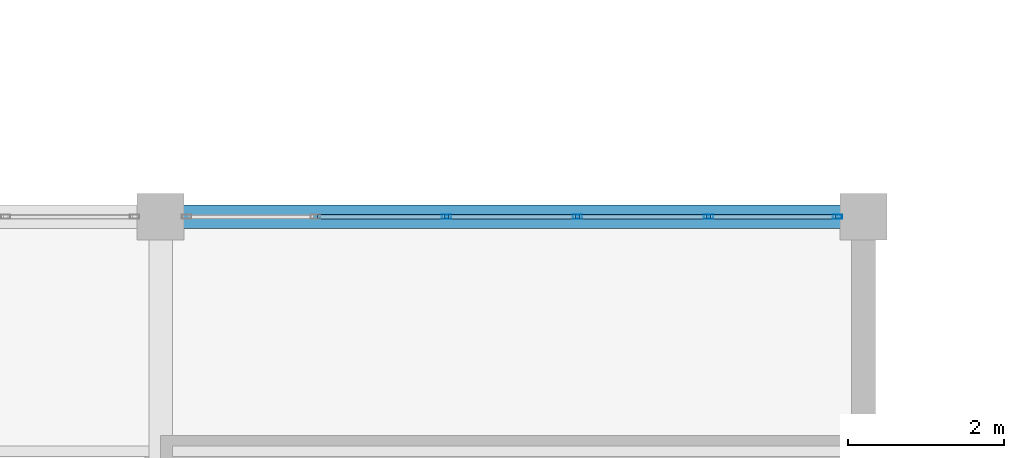
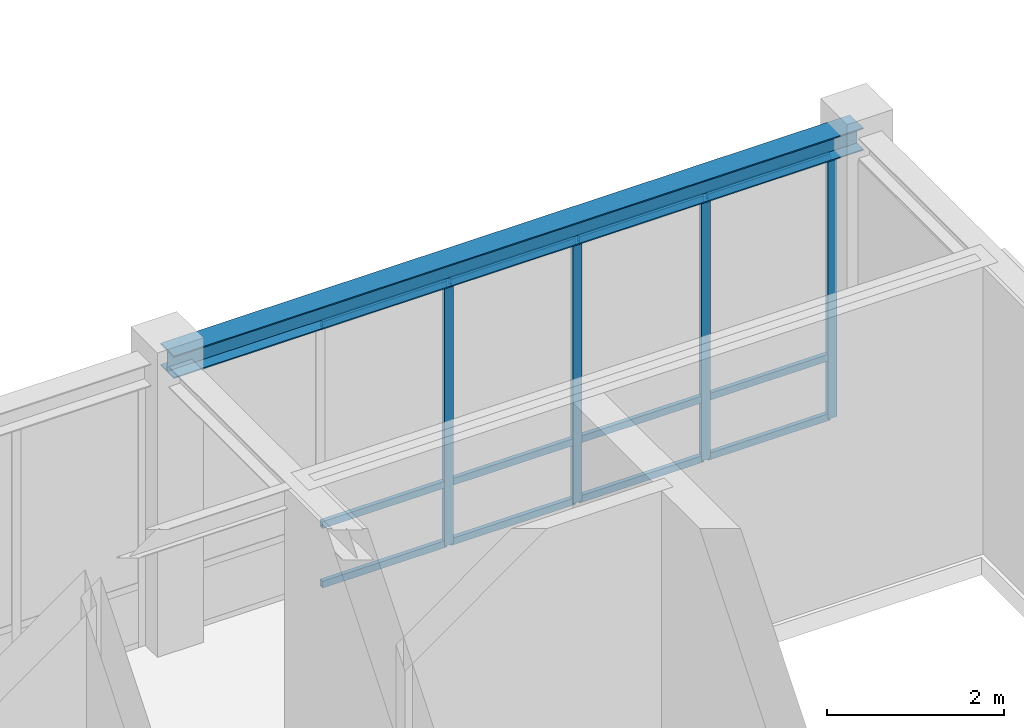
# One storey, part 51 of 130: 16 members, 1 beam, 1 element without a shape of its own.
"""IFC4 building model written with IfcOpenShell, lengths in metres."""

import ifcopenshell
import ifcopenshell.guid

model = None  # the IFC model being written
_history = None  # IfcOwnerHistory: only IFC2X3 demands one
_inside = {}  # id of a spatial element -> (the spatial element, [elements in it])
_under = {}  # id of a project, library or spatial element -> (it, [spatial elements below it])
_declared = {}  # id of a project -> (the project, [libraries it declares])
_typed = {}  # id of a type object -> (the type object, [elements of that type])
_made_of = {}  # id of a material, layer set ... -> (it, [elements and type objects made of it])


def new_model(schema):
    """Start an empty IFC model of exactly this schema.

    Asked for "IFC4X3", IfcOpenShell would pick the latest addendum, in which some entities
    have other attributes; the version numbers below select the first issue.
    IFC2X3 requires an IfcOwnerHistory on every rooted entity: one is made here for all.
    """
    global model, _history
    if schema == "IFC4X3":
        model = ifcopenshell.file(schema_version=(4, 3, 0, 0))
    else:
        model = ifcopenshell.file(schema=schema)
    _inside.clear()
    _under.clear()
    _declared.clear()
    _typed.clear()
    _made_of.clear()
    _history = None
    if model.schema == "IFC2X3":
        org = make("IfcOrganization", Name="unknown")
        user = make(
            "IfcPersonAndOrganization",
            ThePerson=make("IfcPerson", FamilyName="unknown"),
            TheOrganization=org,
        )
        app = make(
            "IfcApplication",
            ApplicationDeveloper=org,
            Version="unknown",
            ApplicationFullName="unknown",
            ApplicationIdentifier="unknown",
        )
        _history = make(
            "IfcOwnerHistory",
            OwningUser=user,
            OwningApplication=app,
            ChangeAction="ADDED",
            CreationDate=0,
        )
    return model


def make(cls, **values):
    """One entity of the class cls with the attributes given. An attribute that is None is left unset."""
    return model.create_entity(
        cls, **{name: value for name, value in values.items() if value is not None}
    )


def rooted(cls, **values):
    """An entity with a GlobalId (a new one), such as an element, a storey or a relation."""
    return make(cls, GlobalId=ifcopenshell.guid.new(), OwnerHistory=_history, **values)


def si_unit(unit_type, name, prefix=None):
    """IfcSIUnit, for example si_unit("LENGTHUNIT", "METRE", prefix="MILLI")."""
    return make("IfcSIUnit", UnitType=unit_type, Prefix=prefix, Name=name)


def assignment(units):
    """IfcUnitAssignment: the units of a project."""
    return None if units is None else make("IfcUnitAssignment", Units=units)


def point(xyz):
    """IfcCartesianPoint."""
    return None if xyz is None else make("IfcCartesianPoint", Coordinates=xyz)


def direction(xyz):
    """IfcDirection."""
    return None if xyz is None else make("IfcDirection", DirectionRatios=xyz)


def frame(location, z_axis=None, x_axis=None):
    """IfcAxis2Placement3D, a coordinate frame: its origin and axes. An axis left out is left unset."""
    return make(
        "IfcAxis2Placement3D",
        Location=point(location),
        Axis=direction(z_axis),
        RefDirection=direction(x_axis),
    )


def frame_2d(location, x_axis=None):
    """IfcAxis2Placement2D, a coordinate frame in the plane: its origin and x axis."""
    return make(
        "IfcAxis2Placement2D", Location=point(location), RefDirection=direction(x_axis)
    )


def origin():
    """The frame at (0, 0, 0) with its axes left unset."""
    return frame((0.0, 0.0, 0.0))


def origin_2d():
    """The frame at (0, 0) in the plane with its x axis left unset."""
    return frame_2d((0.0, 0.0))


def place(relative_to, where):
    """IfcLocalPlacement: puts the frame where relative to a parent placement (None: the world)."""
    return make(
        "IfcLocalPlacement", PlacementRelTo=relative_to, RelativePlacement=where
    )


def context(
    kind, dimensions, precision=None, world=None, true_north=None, identifier=None
):
    """IfcGeometricRepresentationContext, for example the 3D "Model" context."""
    return make(
        "IfcGeometricRepresentationContext",
        ContextIdentifier=identifier,
        ContextType=kind,
        CoordinateSpaceDimension=dimensions,
        Precision=precision,
        WorldCoordinateSystem=world,
        TrueNorth=true_north,
    )


def subcontext(parent, identifier, kind, view, scale=None):
    """IfcGeometricRepresentationSubContext, for example "Body" below "Model"."""
    return make(
        "IfcGeometricRepresentationSubContext",
        ContextIdentifier=identifier,
        ContextType=kind,
        ParentContext=parent,
        TargetScale=scale,
        TargetView=view,
    )


def project(units=None, contexts=None):
    """IfcProject with its units and contexts."""
    return rooted(
        "IfcProject",
        Name="project",
        RepresentationContexts=contexts,
        UnitsInContext=assignment(units),
    )


def spatial(cls, under=None, at=None, **own):
    """A site, building, storey or space (cls), placed at a placement, below another one or the project."""
    s = rooted(cls, ObjectPlacement=at, **own)
    if under is not None:
        _under.setdefault(under.id(), (under, []))[1].append(s)
    return s


def profile(cls, at=None, kind="AREA", **sizes):
    """A parametric profile (cls). Its sizes go by their IFC names, for example OverallWidth=200.0."""
    return make(cls, ProfileType=kind, Position=at, **sizes)


def hollow_rectangle(**sizes):
    """IfcRectangleHollowProfileDef."""
    return profile("IfcRectangleHollowProfileDef", **sizes)


def i_section(**sizes):
    """IfcIShapeProfileDef."""
    return profile("IfcIShapeProfileDef", **sizes)


def extrude(swept, where, along, depth):
    """IfcExtrudedAreaSolid: the profile swept, set in the frame where, extruded along a direction by depth."""
    return make(
        "IfcExtrudedAreaSolid",
        SweptArea=swept,
        Position=where,
        ExtrudedDirection=direction(along),
        Depth=depth,
    )


def shape(context_of_items, identifier, shape_type, items):
    """IfcShapeRepresentation: the items that make up one representation, for example the "Body"."""
    return make(
        "IfcShapeRepresentation",
        ContextOfItems=context_of_items,
        RepresentationIdentifier=identifier,
        RepresentationType=shape_type,
        Items=items,
    )


def material(Name=None, Category=None):
    """IfcMaterial."""
    return make("IfcMaterial", Name=Name, Category=Category)


def material_profile(
    of_material, cross_section, Name=None, Category=None, Priority=None
):
    """IfcMaterialProfile: a cross section and its material."""
    return make(
        "IfcMaterialProfile",
        Name=Name,
        Material=of_material,
        Profile=cross_section,
        Priority=Priority,
        Category=Category,
    )


def profile_set(profiles, Name=None, composite=None):
    """IfcMaterialProfileSet."""
    return make(
        "IfcMaterialProfileSet",
        Name=Name,
        MaterialProfiles=profiles,
        CompositeProfile=composite,
    )


def made_of(thing, what):
    """Note that an element or type object is made of a material, layer set ...; save() writes the relation."""
    if what is not None:
        _made_of.setdefault(what.id(), (what, []))[1].append(thing)
    return thing


def type_object(cls, material=None, **own):
    """A type object (cls), such as IfcWallType, which elements share."""
    return made_of(rooted(cls, **own), material)


def element(
    cls,
    number,
    at=None,
    inside=None,
    cuts=None,
    type_object=None,
    material=None,
    context=None,
    identifier="Body",
    shape_type=None,
    held_by="IfcProductDefinitionShape",
    body=None,
    shapes=None,
    **own,
):
    """One element of the class cls, such as IfcWall. Its Tag is "e" and its number.

    at: its placement. inside: the storey or other place that contains it. cuts: it is an
    opening in that element (IfcRelVoidsElement). A single representation is given by context,
    identifier, shape_type and body (its items); several are given by shapes. held_by: the class
    of the entity that holds the representations. save() writes the other relations.
    """
    e = rooted(cls, Tag="e%d" % number, ObjectPlacement=at, **own)
    if body is not None:
        shapes = [shape(context, identifier, shape_type, body)]
    if shapes is not None:
        e.Representation = make(held_by, Representations=shapes)
    if inside is not None:
        _inside.setdefault(inside.id(), (inside, []))[1].append(e)
    if cuts is not None:
        rooted(
            "IfcRelVoidsElement", RelatingBuildingElement=cuts, RelatedOpeningElement=e
        )
    if type_object is not None:
        _typed.setdefault(type_object.id(), (type_object, []))[1].append(e)
    return made_of(e, material)


def aggregate(whole, parts):
    """IfcRelAggregates: a whole, such as a stair, and the parts it consists of."""
    return rooted("IfcRelAggregates", RelatingObject=whole, RelatedObjects=parts)


def save(model, path):
    """Write the relations noted so far, then the file.

    IfcRelAggregates (storeys below a building ...), IfcRelContainedInSpatialStructure (elements
    in a storey), IfcRelDefinesByType, IfcRelAssociatesMaterial and IfcRelDeclares: one each for
    every whole, place, type object, material and project.
    """
    for whole, parts in _under.values():
        aggregate(whole, parts)
    for where, things in _inside.values():
        rooted(
            "IfcRelContainedInSpatialStructure",
            RelatedElements=things,
            RelatingStructure=where,
        )
    for kind, things in _typed.values():
        rooted("IfcRelDefinesByType", RelatedObjects=things, RelatingType=kind)
    for what, things in _made_of.values():
        rooted("IfcRelAssociatesMaterial", RelatedObjects=things, RelatingMaterial=what)
    for by, libraries in _declared.values():
        rooted("IfcRelDeclares", RelatingContext=by, RelatedDefinitions=libraries)
    model.write(path)


model = new_model("IFC4")

# Units and contexts
model_context = context("Model", 3, precision=1e-05, world=origin(), true_north=direction((0.0, 1.0)))
body_context = subcontext(model_context, "Body", "Model", "MODEL_VIEW")
ifc_project = project(units=[si_unit("LENGTHUNIT", "METRE"), si_unit("AREAUNIT", "SQUARE_METRE"), si_unit("VOLUMEUNIT", "CUBIC_METRE"), si_unit("PLANEANGLEUNIT", "RADIAN"), si_unit("MASSUNIT", "GRAM", prefix="KILO")], contexts=[model_context])

# Site, building, storey
site_placement = place(None, origin())
site = spatial("IfcSite", under=ifc_project, at=site_placement, CompositionType="ELEMENT")
building_placement = place(site_placement, origin())
building = spatial("IfcBuilding", under=site, at=building_placement, Name="Lykobir Media Centre", CompositionType="ELEMENT")
storey_placement = place(building_placement, frame((0.0, 0.0, 19.199951171875)))
storey = spatial("IfcBuildingStorey", under=building, at=storey_placement, Name="L04", CompositionType="ELEMENT", Elevation=19.199951171875)

# Curtain wall, members
ifc_material_1 = material(Name="Anodized Aluminium AW-6060", Category="aluminium")
curtain_wall_type = type_object("IfcCurtainWallType", Name="CW-COURT-B", PredefinedType="NOTDEFINED", material=ifc_material_1)
curtain_wall_placement = place(storey_placement, origin())
curtain_wall = element("IfcCurtainWall", 1, at=curtain_wall_placement, inside=storey, type_object=curtain_wall_type, Name="Curtain wall CW2-L04-0171", PredefinedType="NOTDEFINED")
ifc_material_profile_1 = material_profile(ifc_material_1, hollow_rectangle(XDim=0.054931640625, YDim=0.1201171875, WallThickness=0.003173828125, at=origin_2d()), Name="ALU MULLION 55x120")
ifc_profile_set_1 = profile_set([ifc_material_profile_1], Name="Anodized Aluminium AW-6060")
member_type_1 = type_object("IfcMemberType", Name="CWM-120", PredefinedType="MULLION", material=ifc_profile_set_1)
member_1_placement = place(storey_placement, frame((120.660888671875, 18.0, 0.0), z_axis=(0.0, 0.0, 1.0), x_axis=(0.0, 1.0, 0.0)))
member_1 = element("IfcMember", 2, at=member_1_placement, type_object=member_type_1, Name="CW2-L04-0171 mullion 3", PredefinedType="MULLION", context=body_context, shape_type="SweptSolid", body=[
    extrude(hollow_rectangle(XDim=0.054931640625, YDim=0.1201171875, WallThickness=0.003173828125, at=origin_2d()), origin(), (0.0, 0.0, 1.0), 3.635009765625),
])
member_2_placement = place(storey_placement, frame((122.339111328125, 18.0, 0.0), z_axis=(0.0, 0.0, 1.0), x_axis=(0.0, 1.0, 0.0)))
member_2 = element("IfcMember", 3, at=member_2_placement, type_object=member_type_1, Name="CW2-L04-0171 mullion 4", PredefinedType="MULLION", context=body_context, shape_type="SweptSolid", body=[
    extrude(hollow_rectangle(XDim=0.054931640625, YDim=0.1201171875, WallThickness=0.003173828125, at=origin_2d()), origin(), (0.0, 0.0, 1.0), 3.635009765625),
])
member_3_placement = place(storey_placement, frame((124.01708984375, 18.0, 0.0), z_axis=(0.0, 0.0, 1.0), x_axis=(0.0, 1.0, 0.0)))
member_3 = element("IfcMember", 4, at=member_3_placement, type_object=member_type_1, Name="CW2-L04-0171 mullion 5", PredefinedType="MULLION", context=body_context, shape_type="SweptSolid", body=[
    extrude(hollow_rectangle(XDim=0.054931640625, YDim=0.1201171875, WallThickness=0.003173828125, at=origin_2d()), origin(), (0.0, 0.0, 1.0), 3.635009765625),
])
member_4_placement = place(storey_placement, frame((125.66748046875, 18.0, 0.0), z_axis=(0.0, 0.0, 1.0), x_axis=(0.0, 1.0, 0.0)))
member_4 = element("IfcMember", 5, at=member_4_placement, type_object=member_type_1, Name="CW2-L04-0171 mullion 6", PredefinedType="MULLION", context=body_context, shape_type="SweptSolid", body=[
    extrude(hollow_rectangle(XDim=0.054931640625, YDim=0.1201171875, WallThickness=0.003173828125, at=origin_2d()), origin(), (0.0, 0.0, 1.0), 3.635009765625),
])
ifc_material_profile_2 = material_profile(ifc_material_1, hollow_rectangle(XDim=0.054931640625, YDim=0.094970703125, WallThickness=0.0029296875, at=origin_2d()), Name="ALU TRANSOM 55x95")
ifc_profile_set_2 = profile_set([ifc_material_profile_2], Name="Anodized Aluminium AW-6060")
member_type_2 = type_object("IfcMemberType", Name="CWT-095", PredefinedType="USERDEFINED", material=ifc_profile_set_2)
member_5_placement = place(storey_placement, frame((119.010498046875, 18.0, 0.027587890625), z_axis=(1.0, 0.0, 0.0), x_axis=(0.0, 1.0, 0.0)))
member_5 = element("IfcMember", 6, at=member_5_placement, type_object=member_type_2, Name="CW2-L04-0171 transom 2.1", ObjectType="TRANSOM", PredefinedType="USERDEFINED", context=body_context, shape_type="SweptSolid", body=[
    extrude(hollow_rectangle(XDim=0.054931640625, YDim=0.094970703125, WallThickness=0.0029296875, at=origin_2d()), origin(), (0.0, 0.0, 1.0), 1.623046875),
])
member_6_placement = place(storey_placement, frame((119.010498046875, 18.0, 0.85009765625), z_axis=(1.0, 0.0, 0.0), x_axis=(0.0, 1.0, 0.0)))
member_6 = element("IfcMember", 7, at=member_6_placement, type_object=member_type_2, Name="CW2-L04-0171 transom 2.2", ObjectType="TRANSOM", PredefinedType="USERDEFINED", context=body_context, shape_type="SweptSolid", body=[
    extrude(hollow_rectangle(XDim=0.054931640625, YDim=0.094970703125, WallThickness=0.0029296875, at=origin_2d()), origin(), (0.0, 0.0, 1.0), 1.623046875),
])
member_7_placement = place(storey_placement, frame((119.010498046875, 18.0, 3.607666015625), z_axis=(1.0, 0.0, 0.0), x_axis=(0.0, 1.0, 0.0)))
member_7 = element("IfcMember", 8, at=member_7_placement, type_object=member_type_2, Name="CW2-L04-0171 transom 2.3", ObjectType="TRANSOM", PredefinedType="USERDEFINED", context=body_context, shape_type="SweptSolid", body=[
    extrude(hollow_rectangle(XDim=0.054931640625, YDim=0.094970703125, WallThickness=0.0029296875, at=origin_2d()), origin(), (0.0, 0.0, 1.0), 1.623046875),
])
member_8_placement = place(storey_placement, frame((120.6884765625, 18.0, 0.027587890625), z_axis=(1.0, 0.0, 0.0), x_axis=(0.0, 1.0, 0.0)))
member_8 = element("IfcMember", 9, at=member_8_placement, type_object=member_type_2, Name="CW2-L04-0171 transom 3.1", ObjectType="TRANSOM", PredefinedType="USERDEFINED", context=body_context, shape_type="SweptSolid", body=[
    extrude(hollow_rectangle(XDim=0.054931640625, YDim=0.094970703125, WallThickness=0.0029296875, at=origin_2d()), origin(), (0.0, 0.0, 1.0), 1.623046875),
])
member_9_placement = place(storey_placement, frame((120.6884765625, 18.0, 0.85009765625), z_axis=(1.0, 0.0, 0.0), x_axis=(0.0, 1.0, 0.0)))
member_9 = element("IfcMember", 10, at=member_9_placement, type_object=member_type_2, Name="CW2-L04-0171 transom 3.2", ObjectType="TRANSOM", PredefinedType="USERDEFINED", context=body_context, shape_type="SweptSolid", body=[
    extrude(hollow_rectangle(XDim=0.054931640625, YDim=0.094970703125, WallThickness=0.0029296875, at=origin_2d()), origin(), (0.0, 0.0, 1.0), 1.623046875),
])
member_10_placement = place(storey_placement, frame((120.6884765625, 18.0, 3.607666015625), z_axis=(1.0, 0.0, 0.0), x_axis=(0.0, 1.0, 0.0)))
member_10 = element("IfcMember", 11, at=member_10_placement, type_object=member_type_2, Name="CW2-L04-0171 transom 3.3", ObjectType="TRANSOM", PredefinedType="USERDEFINED", context=body_context, shape_type="SweptSolid", body=[
    extrude(hollow_rectangle(XDim=0.054931640625, YDim=0.094970703125, WallThickness=0.0029296875, at=origin_2d()), origin(), (0.0, 0.0, 1.0), 1.623046875),
])
member_11_placement = place(storey_placement, frame((122.366455078125, 18.0, 0.027587890625), z_axis=(1.0, 0.0, 0.0), x_axis=(0.0, 1.0, 0.0)))
member_11 = element("IfcMember", 12, at=member_11_placement, type_object=member_type_2, Name="CW2-L04-0171 transom 4.1", ObjectType="TRANSOM", PredefinedType="USERDEFINED", context=body_context, shape_type="SweptSolid", body=[
    extrude(hollow_rectangle(XDim=0.054931640625, YDim=0.094970703125, WallThickness=0.0029296875, at=origin_2d()), origin(), (0.0, 0.0, 1.0), 1.623046875),
])
member_12_placement = place(storey_placement, frame((122.366455078125, 18.0, 0.85009765625), z_axis=(1.0, 0.0, 0.0), x_axis=(0.0, 1.0, 0.0)))
member_12 = element("IfcMember", 13, at=member_12_placement, type_object=member_type_2, Name="CW2-L04-0171 transom 4.2", ObjectType="TRANSOM", PredefinedType="USERDEFINED", context=body_context, shape_type="SweptSolid", body=[
    extrude(hollow_rectangle(XDim=0.054931640625, YDim=0.094970703125, WallThickness=0.0029296875, at=origin_2d()), origin(), (0.0, 0.0, 1.0), 1.623046875),
])
member_13_placement = place(storey_placement, frame((122.366455078125, 18.0, 3.607666015625), z_axis=(1.0, 0.0, 0.0), x_axis=(0.0, 1.0, 0.0)))
member_13 = element("IfcMember", 14, at=member_13_placement, type_object=member_type_2, Name="CW2-L04-0171 transom 4.3", ObjectType="TRANSOM", PredefinedType="USERDEFINED", context=body_context, shape_type="SweptSolid", body=[
    extrude(hollow_rectangle(XDim=0.054931640625, YDim=0.094970703125, WallThickness=0.0029296875, at=origin_2d()), origin(), (0.0, 0.0, 1.0), 1.623046875),
])
member_14_placement = place(storey_placement, frame((124.04443359375, 18.0, 0.027587890625), z_axis=(1.0, 0.0, 0.0), x_axis=(0.0, 1.0, 0.0)))
member_14 = element("IfcMember", 15, at=member_14_placement, type_object=member_type_2, Name="CW2-L04-0171 transom 5.1", ObjectType="TRANSOM", PredefinedType="USERDEFINED", context=body_context, shape_type="SweptSolid", body=[
    extrude(hollow_rectangle(XDim=0.054931640625, YDim=0.094970703125, WallThickness=0.0029296875, at=origin_2d()), origin(), (0.0, 0.0, 1.0), 1.595458984375),
])
member_15_placement = place(storey_placement, frame((124.04443359375, 18.0, 0.85009765625), z_axis=(1.0, 0.0, 0.0), x_axis=(0.0, 1.0, 0.0)))
member_15 = element("IfcMember", 16, at=member_15_placement, type_object=member_type_2, Name="CW2-L04-0171 transom 5.2", ObjectType="TRANSOM", PredefinedType="USERDEFINED", context=body_context, shape_type="SweptSolid", body=[
    extrude(hollow_rectangle(XDim=0.054931640625, YDim=0.094970703125, WallThickness=0.0029296875, at=origin_2d()), origin(), (0.0, 0.0, 1.0), 1.595458984375),
])
member_16_placement = place(storey_placement, frame((124.04443359375, 18.0, 3.607666015625), z_axis=(1.0, 0.0, 0.0), x_axis=(0.0, 1.0, 0.0)))
member_16 = element("IfcMember", 17, at=member_16_placement, type_object=member_type_2, Name="CW2-L04-0171 transom 5.3", ObjectType="TRANSOM", PredefinedType="USERDEFINED", context=body_context, shape_type="SweptSolid", body=[
    extrude(hollow_rectangle(XDim=0.054931640625, YDim=0.094970703125, WallThickness=0.0029296875, at=origin_2d()), origin(), (0.0, 0.0, 1.0), 1.595458984375),
])
aggregate(curtain_wall, [member_1, member_2, member_3, member_4, member_5, member_6, member_7, member_8, member_9, member_10, member_11, member_12, member_13, member_14, member_15, member_16])

# Beam
ifc_material_2 = material(Name="Steel S355", Category="steel")
ifc_material_profile_3 = material_profile(ifc_material_2, i_section(OverallWidth=0.300048828125, OverallDepth=0.31005859375, WebThickness=0.009033203125, FlangeThickness=0.015380859375, at=origin_2d()), Name="HEA 320")
ifc_profile_set_3 = profile_set([ifc_material_profile_3], Name="Steel S355")
beam_type = type_object("IfcBeamType", Name="SP-HEA320", PredefinedType="SPANDREL", material=ifc_profile_set_3)
beam_placement = place(storey_placement, frame((117.0, 18.0, 3.804931640625), z_axis=(1.0, 0.0, 0.0), x_axis=(0.0, 1.0, 0.0)))
element("IfcBeam", 18, at=beam_placement, inside=storey, type_object=beam_type, Name="Beam BM-L04-1170-0180-1260-0180-2300", PredefinedType="SPANDREL", context=body_context, shape_type="SweptSolid", body=[
    extrude(i_section(OverallWidth=0.300048828125, OverallDepth=0.31005859375, WebThickness=0.009033203125, FlangeThickness=0.015380859375, at=origin_2d()), origin(), (0.0, 0.0, 1.0), 9.0),
])

save(model, "model.ifc")
